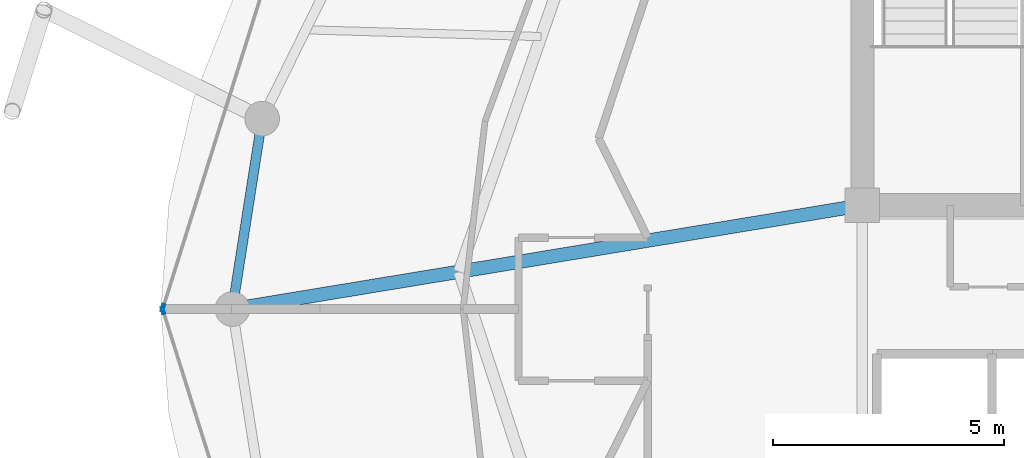
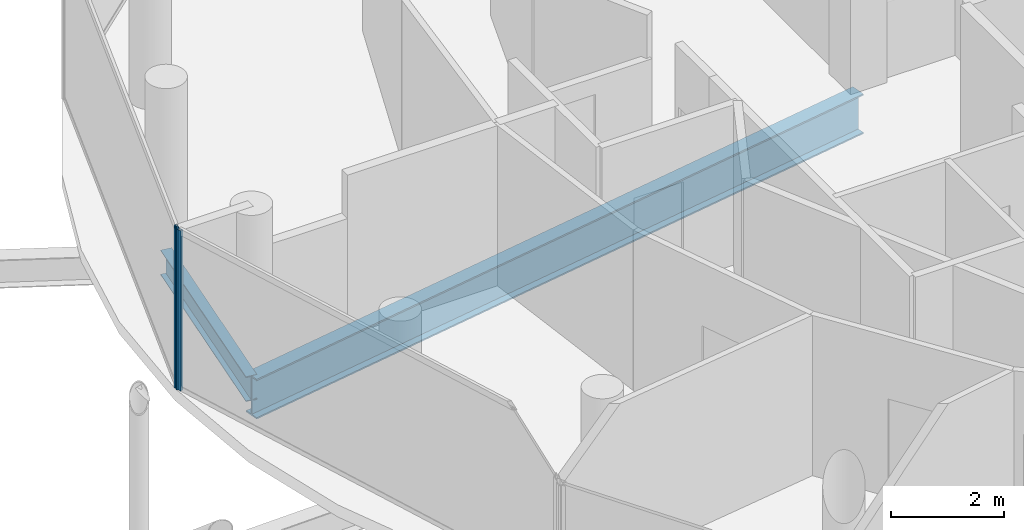
# One storey, part 6 of 24: 2 beams, 2 members, 2 elements without a shape of their own.
"""IFC4 building model written with IfcOpenShell, lengths in metres."""

from ifc_helpers import new_model, si_unit, direction, frame, origin, origin_2d, place, context, subcontext, project, spatial, hollow_rectangle, i_section, extrude, material, layer, layer_set, material_profile, profile_set, type_object, element, aggregate, save


model = new_model("IFC4")

# Units and contexts
model_context = context("Model", 3, precision=1e-05, world=origin(), true_north=direction((0.0, 1.0)))
body_context = subcontext(model_context, "Body", "Model", "MODEL_VIEW")
ifc_project = project(units=[si_unit("LENGTHUNIT", "METRE"), si_unit("AREAUNIT", "SQUARE_METRE"), si_unit("VOLUMEUNIT", "CUBIC_METRE"), si_unit("PLANEANGLEUNIT", "RADIAN"), si_unit("MASSUNIT", "GRAM", prefix="KILO")], contexts=[model_context])

# Site, building, storey
site_placement = place(None, origin())
site = spatial("IfcSite", under=ifc_project, at=site_placement, CompositionType="ELEMENT")
building_placement = place(site_placement, origin())
building = spatial("IfcBuilding", under=site, at=building_placement, Name="Nuhasar Tower", CompositionType="ELEMENT")
storey_placement = place(building_placement, frame((0.0, 0.0, 297.39990234375)))
storey = spatial("IfcBuildingStorey", under=building, at=storey_placement, Name="L74", CompositionType="ELEMENT", Elevation=297.39990234375)

# Beams
ifc_material_1 = material(Name="Steel S355", Category="steel")
ifc_material_profile_1 = material_profile(ifc_material_1, i_section(OverallWidth=0.2919921875, OverallDepth=0.85888671875, WebThickness=0.01708984375, FlangeThickness=0.031005859375, at=origin_2d()), Name="W33X169")
ifc_profile_set_1 = profile_set([ifc_material_profile_1], Name="Steel S355")
beam_type_1 = type_object("IfcBeamType", Name="BM-POD-W33X169", PredefinedType="BEAM", material=ifc_profile_set_1)
beam_1_placement = place(storey_placement, frame((33.699951171875, 29.050048828125, -0.68994140625), z_axis=(-0.986685215874, -0.162641583786, 0.0), x_axis=(0.162641583786, -0.986685215874, 0.0)))
element("IfcBeam", 1, at=beam_1_placement, inside=storey, type_object=beam_type_1, Name="L74 Radial Floor Girder 08", PredefinedType="BEAM", context=body_context, shape_type="SweptSolid", body=[
    extrude(i_section(OverallWidth=0.2919921875, OverallDepth=0.85888671875, WebThickness=0.01708984375, FlangeThickness=0.031005859375, at=origin_2d()), origin(), (0.0, 0.0, 1.0), 13.833984375),
])
ifc_material_profile_2 = material_profile(ifc_material_1, i_section(OverallWidth=0.2099609375, OverallDepth=0.537109375, WebThickness=0.010986328125, FlangeThickness=0.017333984375, at=origin_2d()), Name="W21X68")
ifc_profile_set_2 = profile_set([ifc_material_profile_2], Name="Steel S355")
beam_type_2 = type_object("IfcBeamType", Name="BM-RING-W21X68", PredefinedType="SPANDREL", material=ifc_profile_set_2)
beam_2_placement = place(storey_placement, frame((20.696044921875, 30.927978515625, -0.52880859375), z_axis=(-0.154612165232, -0.987975241776, 0.0), x_axis=(0.987975241776, -0.154612165232, 0.0)))
element("IfcBeam", 2, at=beam_2_placement, inside=storey, type_object=beam_type_2, Name="L74 Perimeter Ring Spandrel 12", PredefinedType="SPANDREL", context=body_context, shape_type="SweptSolid", body=[
    extrude(i_section(OverallWidth=0.2099609375, OverallDepth=0.537109375, WebThickness=0.010986328125, FlangeThickness=0.017333984375, at=origin_2d()), origin(), (0.0, 0.0, 1.0), 4.17822265625),
])

# Curtain wall, member
ifc_material_2 = material(Name="Aluminium 6063-T6", Category="aluminium")
ifc_layer = layer(ifc_material_2, 0.18994140625)
ifc_layer_set = layer_set([ifc_layer], Name="Aluminium 6063-T6")
curtain_wall_type = type_object("IfcCurtainWallType", Name="CW-Z4-PEN", PredefinedType="NOTDEFINED", material=ifc_layer_set)
curtain_wall_1_placement = place(storey_placement, origin())
curtain_wall_1 = element("IfcCurtainWall", 3, at=curtain_wall_1_placement, inside=storey, type_object=curtain_wall_type, Name="L74 Unitised Curtain Wall 06", PredefinedType="NOTDEFINED")
ifc_material_profile_3 = material_profile(ifc_material_2, hollow_rectangle(XDim=0.06005859375, YDim=0.1650390625, WallThickness=0.0048828125, at=origin_2d()), Name="CWM-5")
ifc_profile_set_3 = profile_set([ifc_material_profile_3], Name="Aluminium 6063-T6")
member_type = type_object("IfcMemberType", Name="CW-MUL-S5", PredefinedType="MULLION", material=ifc_profile_set_3)
member_1_placement = place(storey_placement, frame((18.549072265625, 26.82861328125, 0.0), z_axis=(0.0, 0.0, 1.0), x_axis=(0.954078526601, -0.299556614146, 0.0)))
member_1 = element("IfcMember", 4, at=member_1_placement, type_object=member_type, Name="CW-Z4 mullion 2", PredefinedType="MULLION", context=body_context, shape_type="SweptSolid", body=[
    extrude(hollow_rectangle(XDim=0.06005859375, YDim=0.1650390625, WallThickness=0.0048828125, at=origin_2d()), origin(), (0.0, 0.0, 1.0), 3.4501953125),
])
aggregate(curtain_wall_1, [member_1])

curtain_wall_2_placement = place(storey_placement, origin())
curtain_wall_2 = element("IfcCurtainWall", 5, at=curtain_wall_2_placement, inside=storey, type_object=curtain_wall_type, Name="L74 Unitised Curtain Wall 07", PredefinedType="NOTDEFINED")
member_2_placement = place(storey_placement, frame((18.549072265625, 26.771484375, 0.0), z_axis=(0.0, 0.0, 1.0), x_axis=(0.954078526601, 0.299556614146, 0.0)))
member_2 = element("IfcMember", 6, at=member_2_placement, type_object=member_type, Name="CW-Z4 mullion 1", PredefinedType="MULLION", context=body_context, shape_type="SweptSolid", body=[
    extrude(hollow_rectangle(XDim=0.06005859375, YDim=0.1650390625, WallThickness=0.0048828125, at=origin_2d()), origin(), (0.0, 0.0, 1.0), 3.4501953125),
])
aggregate(curtain_wall_2, [member_2])

save(model, "model.ifc")
